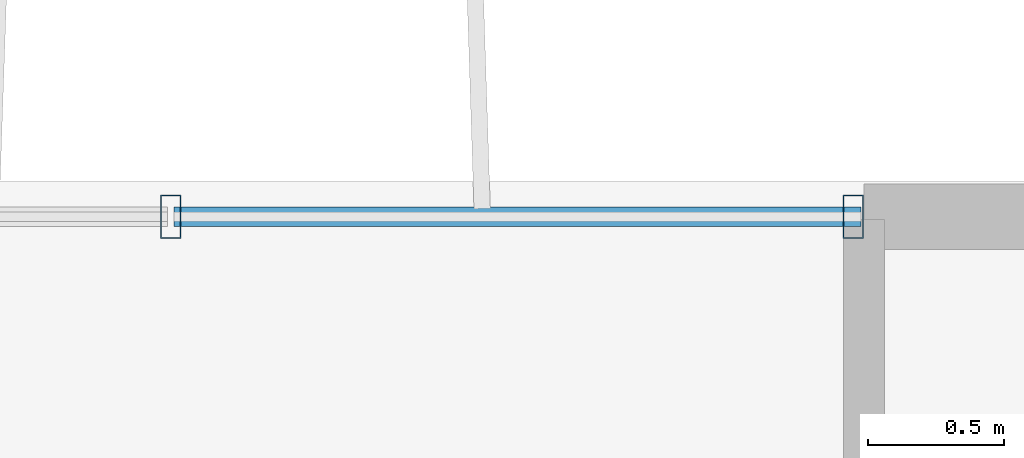
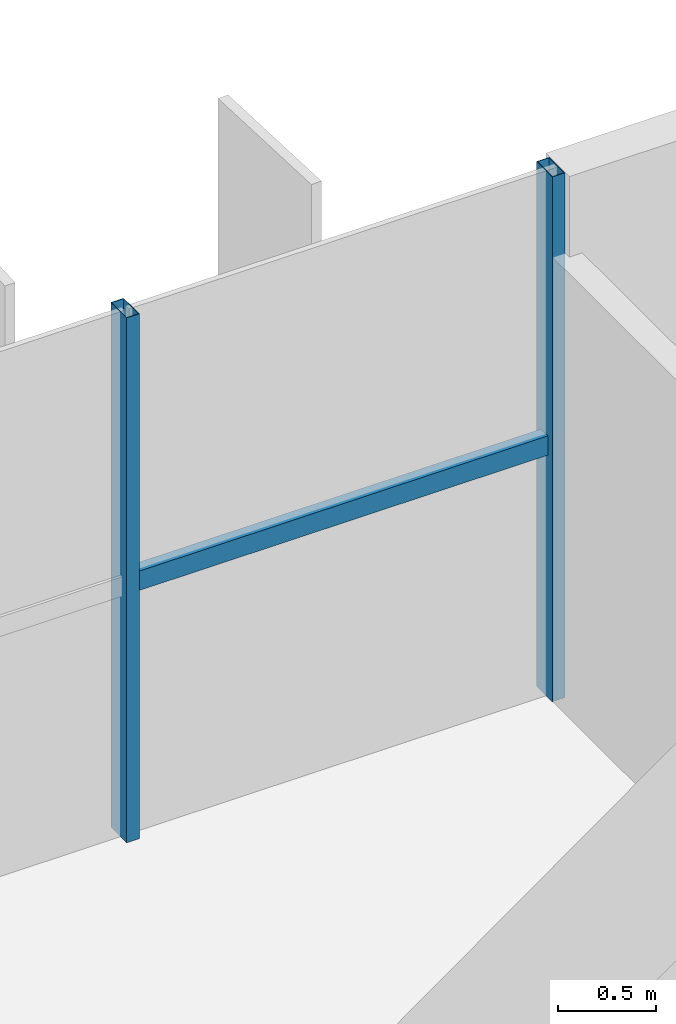
# One storey, part 18 of 28: 3 members, 1 element without a shape of its own.
"""IFC4 building model written with IfcOpenShell, lengths in metres."""

from ifc_helpers import new_model, si_unit, direction, frame, origin, origin_2d, place, context, subcontext, project, spatial, hollow_rectangle, extrude, source, transform, mapped, material, material_profile, profile_set, type_object, element, aggregate, save


model = new_model("IFC4")

# Units and contexts
model_context = context("Model", 3, precision=1e-05, world=origin(), true_north=direction((0.0, 1.0)))
body_context = subcontext(model_context, "Body", "Model", "MODEL_VIEW")
ifc_project = project(units=[si_unit("LENGTHUNIT", "METRE"), si_unit("AREAUNIT", "SQUARE_METRE"), si_unit("VOLUMEUNIT", "CUBIC_METRE"), si_unit("PLANEANGLEUNIT", "RADIAN"), si_unit("MASSUNIT", "GRAM", prefix="KILO")], contexts=[model_context])

# Site, building, storey
site_placement = place(None, origin())
site = spatial("IfcSite", under=ifc_project, at=site_placement, CompositionType="ELEMENT")
building_placement = place(site_placement, origin())
building = spatial("IfcBuilding", under=site, at=building_placement, Name="Trelvane Seafront Commons", CompositionType="ELEMENT")
storey_placement = place(building_placement, frame((0.0, 0.0, 295.5)))
storey = spatial("IfcBuildingStorey", under=building, at=storey_placement, Name="L77", CompositionType="ELEMENT", Elevation=295.5)

# Curtain wall, members
ifc_material = material(Name="Anodised pale-silver aluminium", Category="aluminium")
curtain_wall_type = type_object("IfcCurtainWallType", Name="ARCH-CW5-UPTOWER", PredefinedType="NOTDEFINED", material=ifc_material)
curtain_wall_placement = place(storey_placement, origin())
curtain_wall = element("IfcCurtainWall", 1, at=curtain_wall_placement, inside=storey, type_object=curtain_wall_type, Name="CW-L77-0122", PredefinedType="NOTDEFINED")
ifc_material_profile_1 = material_profile(ifc_material, hollow_rectangle(XDim=0.070068359375, YDim=0.1201171875, WallThickness=0.00390625, at=origin_2d()), Name="TRAN-70x120x4")
ifc_profile_set_1 = profile_set([ifc_material_profile_1], Name="Anodised pale-silver aluminium")
member_type_1 = type_object("IfcMemberType", Name="ARCH-CW-TRAN-120", PredefinedType="USERDEFINED", material=ifc_profile_set_1)
shared_shape_1 = source(origin(), body_context, "Body", "SweptSolid", [
    extrude(hollow_rectangle(XDim=0.070068359375, YDim=0.1201171875, WallThickness=0.00390625, at=origin_2d()), origin(), (0.0, 0.0, 1.0), 2.517333984375),
])
member_1_placement = place(storey_placement, frame((56.270751953125, 48.3701171875, 1.56494140625), z_axis=(1.0, 0.0, 0.0), x_axis=(0.0, 1.0, 0.0)))
member_1 = element("IfcMember", 2, at=member_1_placement, type_object=member_type_1, Name="CW-L77-0122-T16", ObjectType="TRANSOM", PredefinedType="USERDEFINED", context=body_context, shape_type="MappedRepresentation", body=[
    mapped(shared_shape_1, transform((0.0, 0.0, 0.0), x_axis=(1.0, 0.0, 0.0), y_axis=(0.0, 1.0, 0.0), z_axis=(0.0, 0.0, 1.0), scale=1.0)),
])
ifc_material_profile_2 = material_profile(ifc_material, hollow_rectangle(XDim=0.074951171875, YDim=0.159912109375, WallThickness=0.00390625, at=origin_2d()), Name="MULL-75x160x4")
ifc_profile_set_2 = profile_set([ifc_material_profile_2], Name="Anodised pale-silver aluminium")
member_type_2 = type_object("IfcMemberType", Name="ARCH-CW-MULL-160", PredefinedType="MULLION", material=ifc_profile_set_2)
shared_shape_2 = source(origin(), body_context, "Body", "SweptSolid", [
    extrude(hollow_rectangle(XDim=0.074951171875, YDim=0.159912109375, WallThickness=0.00390625, at=origin_2d()), origin(), (0.0, 0.0, 1.0), 3.260009765625),
])
member_2_placement = place(storey_placement, frame((56.2587890625, 48.3701171875, 0.0), z_axis=(0.0, 0.0, 1.0), x_axis=(1.0, 0.0, 0.0)))
member_2 = element("IfcMember", 3, at=member_2_placement, type_object=member_type_2, Name="CW-L77-0122-M16", PredefinedType="MULLION", context=body_context, shape_type="MappedRepresentation", body=[
    mapped(shared_shape_2, transform((0.0, 0.0, 0.0), x_axis=(1.0, 0.0, 0.0), y_axis=(0.0, 1.0, 0.0), z_axis=(0.0, 0.0, 1.0), scale=1.0)),
])
member_3_placement = place(storey_placement, frame((58.760009765625, 48.3701171875, 0.0), z_axis=(0.0, 0.0, 1.0), x_axis=(1.0, 0.0, 0.0)))
member_3 = element("IfcMember", 4, at=member_3_placement, type_object=member_type_2, Name="CW-L77-0122-M17", PredefinedType="MULLION", context=body_context, shape_type="MappedRepresentation", body=[
    mapped(shared_shape_2, transform((0.0, 0.0, 0.0), x_axis=(1.0, 0.0, 0.0), y_axis=(0.0, 1.0, 0.0), z_axis=(0.0, 0.0, 1.0), scale=1.0)),
])
aggregate(curtain_wall, [member_2, member_3, member_1])

save(model, "model.ifc")
